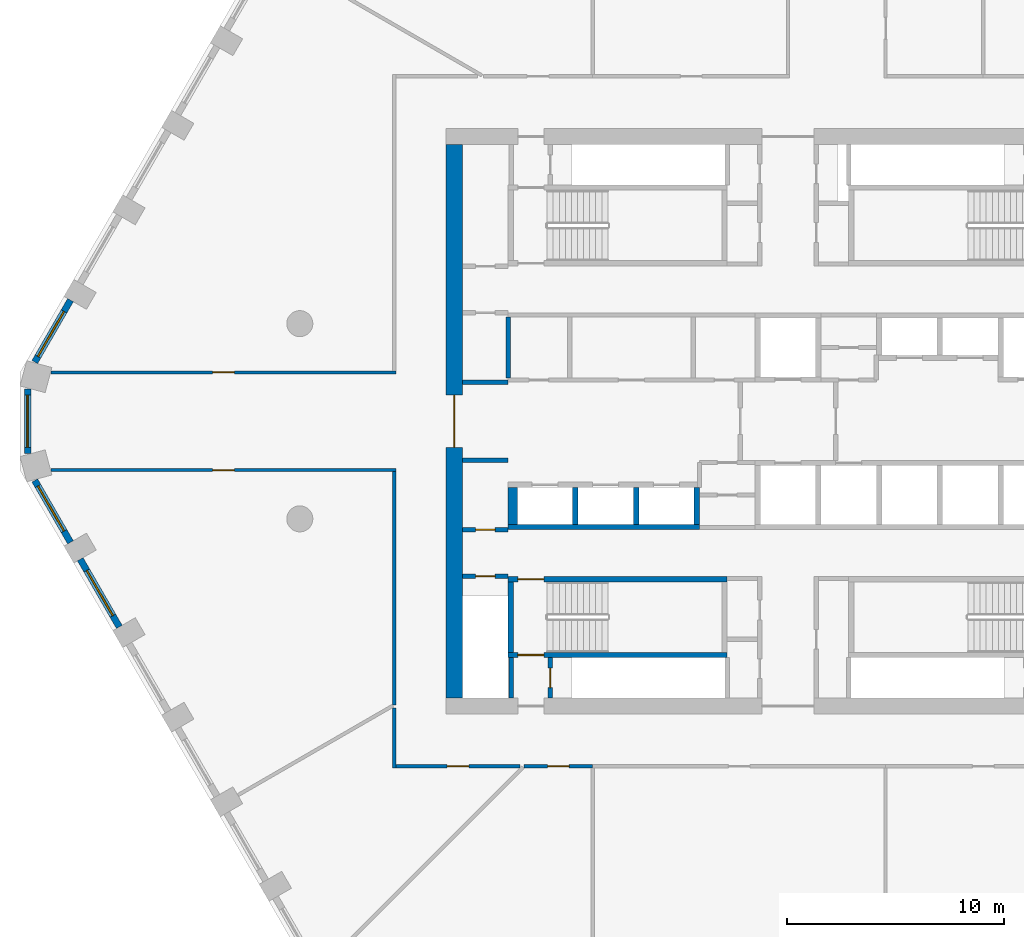
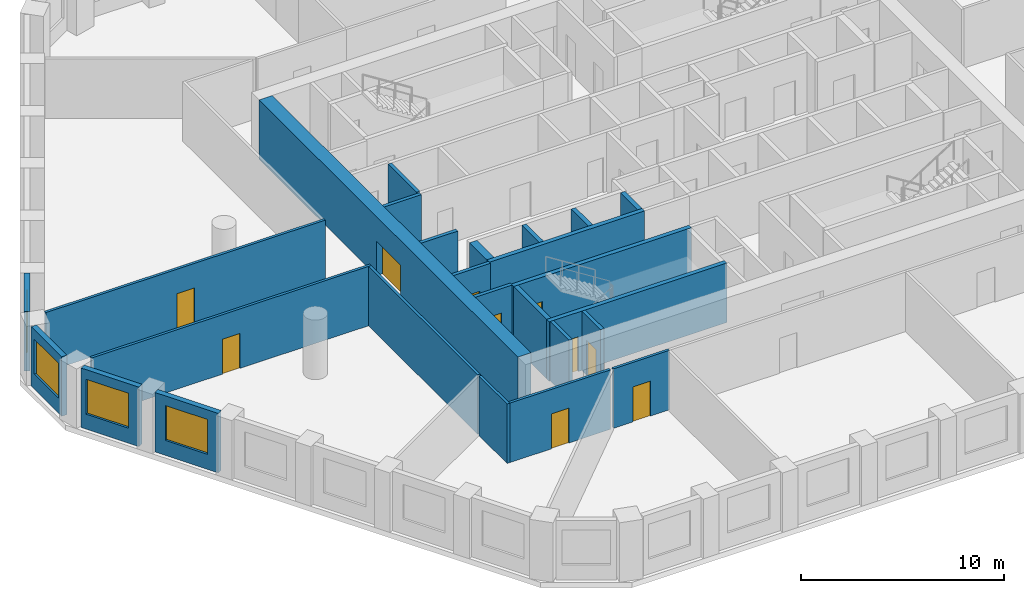
# One storey, part 2 of 9: 26 walls, 10 doors, 4 windows, 14 openings.
"""IFC4 building model written with IfcOpenShell, lengths in metres."""

from ifc_helpers import new_model, si_unit, direction, frame, frame_2d, origin, place, context, subcontext, project, spatial, polyline, rectangle, outline, extrude, material, layer, layer_set, type_object, element, fill, save


model = new_model("IFC4")

# Units and contexts
model_context = context("Model", 3, precision=1e-05, world=origin(), true_north=direction((0.0, 1.0)))
body_context = subcontext(model_context, "Body", "Model", "MODEL_VIEW")
ifc_project = project(units=[si_unit("LENGTHUNIT", "METRE"), si_unit("AREAUNIT", "SQUARE_METRE"), si_unit("VOLUMEUNIT", "CUBIC_METRE"), si_unit("PLANEANGLEUNIT", "RADIAN"), si_unit("MASSUNIT", "GRAM", prefix="KILO")], contexts=[model_context])

# Site, building, storey
site_placement = place(None, origin())
site = spatial("IfcSite", under=ifc_project, at=site_placement, CompositionType="ELEMENT")
building_placement = place(site_placement, origin())
building = spatial("IfcBuilding", under=site, at=building_placement, Name="Dhurran Vertical Campus", CompositionType="ELEMENT")
storey_placement = place(building_placement, frame((0.0, 0.0, 159.89990234375)))
storey = spatial("IfcBuildingStorey", under=building, at=storey_placement, Name="L39", CompositionType="ELEMENT", Elevation=159.89990234375)

# Wall, opening, window
ifc_material_1 = material(Name="Precast concrete C50/60", Category="concrete")
ifc_layer_1 = layer(ifc_material_1, 0.300048828125)
ifc_layer_set_1 = layer_set([ifc_layer_1], Name="Precast concrete C50/60")
wall_type_1 = type_object("IfcWallType", Name="Precast spandrel wall 300", PredefinedType="SOLIDWALL", material=ifc_layer_set_1)
wall_1_placement = place(storey_placement, frame((-33.0693359375, 5.58203125, 0.0), z_axis=(0.0, 0.0, 1.0), x_axis=(-0.499981217486, -0.866036247602, 0.0)))
wall_1 = element("IfcWall", 1, at=wall_1_placement, inside=storey, type_object=wall_type_1, Name="EW1 L39.37", PredefinedType="SOLIDWALL", context=body_context, shape_type="SweptSolid", body=[
    extrude(rectangle(XDim=3.294189453125, YDim=0.300048828125, at=frame_2d((1.64697265625, 0.0))), origin(), (0.0, 0.0, 1.0), 3.5751953125),
])
opening_1_placement = place(wall_1_placement, frame((0.599609375, 0.0, 0.89990234375)))
opening_1 = element("IfcOpeningElement", 2, at=opening_1_placement, cuts=wall_1, Name="Opening WT1", PredefinedType="OPENING", context=body_context, shape_type="SweptSolid", body=[
    extrude(rectangle(XDim=2.39990234375, YDim=2.10009765625, at=frame_2d((1.199951171875, 1.050048828125))), frame((0.0, 0.159912109375, 0.0), z_axis=(0.0, -1.0, 0.0), x_axis=(1.0, 0.0, 0.0)), (0.0, 0.0, 1.0), 0.320068359375),
])
ifc_material_2 = material(Name="Aluminium frame with solar-control glass", Category="aluminium")
window_type = type_object("IfcWindowType", Name="Punched window 2400 x 2100", PartitioningType="SINGLE_PANEL", PredefinedType="WINDOW", material=ifc_material_2)
window_1_placement = place(opening_1_placement, origin())
window_1 = element("IfcWindow", 3, at=window_1_placement, inside=storey, type_object=window_type, Name="WT1 L39.37", OverallHeight=2.10009765625, OverallWidth=2.39990234375, PartitioningType="SINGLE_PANEL", PredefinedType="WINDOW", context=body_context, shape_type="SweptSolid", body=[
    extrude(rectangle(XDim=2.39990234375, YDim=2.10009765625, at=frame_2d((1.199951171875, 1.050048828125))), frame((0.0, 0.030029296875, 0.0), z_axis=(0.0, -1.0, 0.0), x_axis=(1.0, 0.0, 0.0)), (0.0, 0.0, 1.0), 0.06005859375),
])
fill(opening_1, window_1)

wall_2_placement = place(storey_placement, frame((-35.047119140625, 1.49462890625, 0.0), z_axis=(0.0, 0.0, 1.0), x_axis=(0.0, -1.0, 0.0)))
wall_2 = element("IfcWall", 4, at=wall_2_placement, inside=storey, type_object=wall_type_1, Name="EW1 L39.38", PredefinedType="SOLIDWALL", context=body_context, shape_type="SweptSolid", body=[
    extrude(rectangle(XDim=2.9892578125, YDim=0.300048828125, at=frame_2d((1.49462890625, 0.0))), origin(), (0.0, 0.0, 1.0), 3.5751953125),
])
opening_2_placement = place(wall_2_placement, frame((0.294677734375, 0.0, 0.89990234375)))
opening_2 = element("IfcOpeningElement", 5, at=opening_2_placement, cuts=wall_2, Name="Opening WT1", PredefinedType="OPENING", context=body_context, shape_type="SweptSolid", body=[
    extrude(rectangle(XDim=2.39990234375, YDim=2.10009765625, at=frame_2d((1.199951171875, 1.050048828125))), frame((0.0, 0.159912109375, 0.0), z_axis=(0.0, -1.0, 0.0), x_axis=(1.0, 0.0, 0.0)), (0.0, 0.0, 1.0), 0.320068359375),
])
window_2_placement = place(opening_2_placement, origin())
window_2 = element("IfcWindow", 6, at=window_2_placement, inside=storey, type_object=window_type, Name="WT1 L39.38", OverallHeight=2.10009765625, OverallWidth=2.39990234375, PartitioningType="SINGLE_PANEL", PredefinedType="WINDOW", context=body_context, shape_type="SweptSolid", body=[
    extrude(rectangle(XDim=2.39990234375, YDim=2.10009765625, at=frame_2d((1.199951171875, 1.050048828125))), frame((0.0, 0.030029296875, 0.0), z_axis=(0.0, -1.0, 0.0), x_axis=(1.0, 0.0, 0.0)), (0.0, 0.0, 1.0), 0.06005859375),
])
fill(opening_2, window_2)

wall_3_placement = place(storey_placement, frame((-34.71630859375, -2.729248046875, 0.0), z_axis=(0.0, 0.0, 1.0), x_axis=(0.499981217486, -0.866036247602, 0.0)))
wall_3 = element("IfcWall", 7, at=wall_3_placement, inside=storey, type_object=wall_type_1, Name="EW1 L39.39", PredefinedType="SOLIDWALL", context=body_context, shape_type="SweptSolid", body=[
    extrude(rectangle(XDim=3.294189453125, YDim=0.300048828125, at=frame_2d((1.64697265625, 0.0))), origin(), (0.0, 0.0, 1.0), 3.5751953125),
])
opening_3_placement = place(wall_3_placement, frame((0.294677734375, 0.0, 0.89990234375)))
opening_3 = element("IfcOpeningElement", 8, at=opening_3_placement, cuts=wall_3, Name="Opening WT1", PredefinedType="OPENING", context=body_context, shape_type="SweptSolid", body=[
    extrude(rectangle(XDim=2.39990234375, YDim=2.10009765625, at=frame_2d((1.199951171875, 1.050048828125))), frame((0.0, 0.159912109375, 0.0), z_axis=(0.0, -1.0, 0.0), x_axis=(1.0, 0.0, 0.0)), (0.0, 0.0, 1.0), 0.320068359375),
])
window_3_placement = place(opening_3_placement, origin())
window_3 = element("IfcWindow", 9, at=window_3_placement, inside=storey, type_object=window_type, Name="WT1 L39.39", OverallHeight=2.10009765625, OverallWidth=2.39990234375, PartitioningType="SINGLE_PANEL", PredefinedType="WINDOW", context=body_context, shape_type="SweptSolid", body=[
    extrude(rectangle(XDim=2.39990234375, YDim=2.10009765625, at=frame_2d((1.199951171875, 1.050048828125))), frame((0.0, 0.030029296875, 0.0), z_axis=(0.0, -1.0, 0.0), x_axis=(1.0, 0.0, 0.0)), (0.0, 0.0, 1.0), 0.06005859375),
])
fill(opening_3, window_3)

wall_4_placement = place(storey_placement, frame((-32.618896484375, -6.3623046875, 0.0), z_axis=(0.0, 0.0, 1.0), x_axis=(0.500027802648, -0.866009351323, 0.0)))
wall_4 = element("IfcWall", 10, at=wall_4_placement, inside=storey, type_object=wall_type_1, Name="EW1 L39.40", PredefinedType="SOLIDWALL", context=body_context, shape_type="SweptSolid", body=[
    extrude(rectangle(XDim=3.598876953125, YDim=0.300048828125, at=frame_2d((1.79931640625, 0.0))), origin(), (0.0, 0.0, 1.0), 3.5751953125),
])
opening_4_placement = place(wall_4_placement, frame((0.599609375, 0.0, 0.89990234375)))
opening_4 = element("IfcOpeningElement", 11, at=opening_4_placement, cuts=wall_4, Name="Opening WT1", PredefinedType="OPENING", context=body_context, shape_type="SweptSolid", body=[
    extrude(rectangle(XDim=2.39990234375, YDim=2.10009765625, at=frame_2d((1.199951171875, 1.050048828125))), frame((0.0, 0.159912109375, 0.0), z_axis=(0.0, -1.0, 0.0), x_axis=(1.0, 0.0, 0.0)), (0.0, 0.0, 1.0), 0.320068359375),
])
window_4_placement = place(opening_4_placement, origin())
window_4 = element("IfcWindow", 12, at=window_4_placement, inside=storey, type_object=window_type, Name="WT1 L39.40", OverallHeight=2.10009765625, OverallWidth=2.39990234375, PartitioningType="SINGLE_PANEL", PredefinedType="WINDOW", context=body_context, shape_type="SweptSolid", body=[
    extrude(rectangle(XDim=2.39990234375, YDim=2.10009765625, at=frame_2d((1.199951171875, 1.050048828125))), frame((0.0, 0.030029296875, 0.0), z_axis=(0.0, -1.0, 0.0), x_axis=(1.0, 0.0, 0.0)), (0.0, 0.0, 1.0), 0.06005859375),
])
fill(opening_4, window_4)

# Wall, opening, door
ifc_material_3 = material(Name="Concrete C60/75", Category="concrete")
ifc_layer_2 = layer(ifc_material_3, 0.75)
ifc_layer_set_2 = layer_set([ifc_layer_2], Name="Concrete C60/75")
wall_type_2 = type_object("IfcWallType", Name="co-CORE-WALL-C1-750", PredefinedType="SHEAR", material=ifc_layer_set_2)
wall_5_placement = place(storey_placement, frame((-15.375, -12.75, 0.0), z_axis=(0.0, 0.0, 1.0), x_axis=(0.0, 1.0, 0.0)))
wall_5 = element("IfcWall", 13, at=wall_5_placement, inside=storey, type_object=wall_type_2, Name="Core wall W L39", PredefinedType="SHEAR", context=body_context, shape_type="SweptSolid", body=[
    extrude(rectangle(XDim=25.5, YDim=0.75, at=frame_2d((12.75, 0.0))), origin(), (0.0, 0.0, 1.0), 3.5751953125),
])
opening_5_placement = place(wall_5_placement, frame((11.550048828125, 0.0, 0.0)))
opening_5 = element("IfcOpeningElement", 14, at=opening_5_placement, cuts=wall_5, Name="Opening CL1", PredefinedType="OPENING", context=body_context, shape_type="SweptSolid", body=[
    extrude(rectangle(XDim=2.39990234375, YDim=2.10009765625, at=frame_2d((1.199951171875, 1.050048828125))), frame((0.0, 0.385009765625, 0.0), z_axis=(0.0, -1.0, 0.0), x_axis=(1.0, 0.0, 0.0)), (0.0, 0.0, 1.0), 0.77001953125),
])
ifc_material_4 = material(Name="Fire-rated glazed door set")
door_type_1 = type_object("IfcDoorType", Name="co-D-LOBBY 2400x2100", OperationType="DOUBLE_DOOR_DOUBLE_SWING", PredefinedType="DOOR", material=ifc_material_4)
door_1_placement = place(opening_5_placement, origin())
door_1 = element("IfcDoor", 15, at=door_1_placement, inside=storey, type_object=door_type_1, Name="Lift lobby door W L39", OperationType="DOUBLE_DOOR_DOUBLE_SWING", OverallHeight=2.10009765625, OverallWidth=2.39990234375, PredefinedType="DOOR", context=body_context, shape_type="SweptSolid", body=[
    extrude(rectangle(XDim=2.39990234375, YDim=2.10009765625, at=frame_2d((1.199951171875, 1.050048828125))), frame((0.0, 0.02490234375, 0.0), z_axis=(0.0, -1.0, 0.0), x_axis=(1.0, 0.0, 0.0)), (0.0, 0.0, 1.0), 0.050048828125),
])
fill(opening_5, door_1)

# Wall
ifc_material_5 = material(Name="Fire-rated masonry blockwork", Category="masonry")
ifc_layer_3 = layer(ifc_material_5, 0.199951171875)
ifc_layer_set_3 = layer_set([ifc_layer_3], Name="Fire-rated masonry blockwork")
wall_type_3 = type_object("IfcWallType", Name="co-FIRE-PARTITION-200", PredefinedType="PARTITIONING", material=ifc_layer_set_3)
wall_6_placement = place(storey_placement, frame((-12.75, -12.75, 0.0), z_axis=(0.0, 0.0, 1.0), x_axis=(0.0, 1.0, 0.0)))
element("IfcWall", 16, at=wall_6_placement, inside=storey, type_object=wall_type_3, Name="Core partition pass-ST3-o L39", PredefinedType="PARTITIONING", context=body_context, shape_type="SweptSolid", body=[
    extrude(rectangle(XDim=1.85009765625, YDim=0.199951171875, at=frame_2d((0.925048828125, 0.0))), origin(), (0.0, 0.0, 1.0), 3.5751953125),
])

# Wall, opening, door
wall_7_placement = place(storey_placement, frame((-10.949951171875, -12.75, 0.0), z_axis=(0.0, 0.0, 1.0), x_axis=(0.0, 1.0, 0.0)))
wall_7 = element("IfcWall", 17, at=wall_7_placement, inside=storey, type_object=wall_type_3, Name="Core partition pass-ST3-i L39", PredefinedType="PARTITIONING", context=body_context, shape_type="SweptSolid", body=[
    extrude(rectangle(XDim=1.85009765625, YDim=0.199951171875, at=frame_2d((0.925048828125, 0.0))), origin(), (0.0, 0.0, 1.0), 3.5751953125),
])
opening_6_placement = place(wall_7_placement, frame((0.47509765625, 0.0, 0.0)))
opening_6 = element("IfcOpeningElement", 18, at=opening_6_placement, cuts=wall_7, Name="Opening T11-C10", PredefinedType="OPENING", context=body_context, shape_type="SweptSolid", body=[
    extrude(rectangle(XDim=0.89990234375, YDim=2.10009765625, at=frame_2d((0.449951171875, 1.050048828125))), frame((0.0, 0.10986328125, 0.0), z_axis=(0.0, -1.0, 0.0), x_axis=(1.0, 0.0, 0.0)), (0.0, 0.0, 1.0), 0.219970703125),
])
ifc_material_6 = material(Name="Fire-rated timber door set", Category="wood")
door_type_2 = type_object("IfcDoorType", Name="co-D-ROOM 900x2100", OperationType="SINGLE_SWING_LEFT", PredefinedType="DOOR", material=ifc_material_6)
door_2_placement = place(opening_6_placement, origin())
door_2 = element("IfcDoor", 19, at=door_2_placement, inside=storey, type_object=door_type_2, Name="Riser room door L39", OperationType="SINGLE_SWING_LEFT", OverallHeight=2.10009765625, OverallWidth=0.89990234375, PredefinedType="DOOR", context=body_context, shape_type="SweptSolid", body=[
    extrude(rectangle(XDim=0.89990234375, YDim=2.10009765625, at=frame_2d((0.449951171875, 1.050048828125))), frame((0.0, 0.02490234375, 0.0), z_axis=(0.0, -1.0, 0.0), x_axis=(1.0, 0.0, 0.0)), (0.0, 0.0, 1.0), 0.050048828125),
])
fill(opening_6, door_2)

# Wall
wall_8_placement = place(storey_placement, frame((-15.0, 1.800048828125, 0.0), z_axis=(0.0, 0.0, 1.0), x_axis=(1.0, 0.0, 0.0)))
element("IfcWall", 20, at=wall_8_placement, inside=storey, type_object=wall_type_3, Name="Core partition es-NW-l L39", PredefinedType="PARTITIONING", context=body_context, shape_type="SweptSolid", body=[
    extrude(rectangle(XDim=2.10009765625, YDim=0.199951171875, at=frame_2d((1.050048828125, 0.0))), origin(), (0.0, 0.0, 1.0), 3.5751953125),
])

# Wall, opening, door
wall_9_placement = place(storey_placement, frame((-15.0, -7.14990234375, 0.0), z_axis=(0.0, 0.0, 1.0), x_axis=(1.0, 0.0, 0.0)))
wall_9 = element("IfcWall", 21, at=wall_9_placement, inside=storey, type_object=wall_type_3, Name="Core partition en-SW-w L39", PredefinedType="PARTITIONING", context=body_context, shape_type="SweptSolid", body=[
    extrude(rectangle(XDim=2.10009765625, YDim=0.199951171875, at=frame_2d((1.050048828125, 0.0))), origin(), (0.0, 0.0, 1.0), 3.5751953125),
])
opening_7_placement = place(wall_9_placement, frame((0.60009765625, 0.0, 0.0)))
opening_7 = element("IfcOpeningElement", 22, at=opening_7_placement, cuts=wall_9, Name="Opening T11-C16", PredefinedType="OPENING", context=body_context, shape_type="SweptSolid", body=[
    extrude(rectangle(XDim=0.89990234375, YDim=2.10009765625, at=frame_2d((0.449951171875, 1.050048828125))), frame((0.0, 0.10986328125, 0.0), z_axis=(0.0, -1.0, 0.0), x_axis=(1.0, 0.0, 0.0)), (0.0, 0.0, 1.0), 0.219970703125),
])
door_3_placement = place(opening_7_placement, origin())
door_3 = element("IfcDoor", 23, at=door_3_placement, inside=storey, type_object=door_type_2, Name="Electrical riser door L39", OperationType="SINGLE_SWING_LEFT", OverallHeight=2.10009765625, OverallWidth=0.89990234375, PredefinedType="DOOR", context=body_context, shape_type="SweptSolid", body=[
    extrude(rectangle(XDim=0.89990234375, YDim=2.10009765625, at=frame_2d((0.449951171875, 1.050048828125))), frame((0.0, 0.02490234375, 0.0), z_axis=(0.0, -1.0, 0.0), x_axis=(1.0, 0.0, 0.0)), (0.0, 0.0, 1.0), 0.050048828125),
])
fill(opening_7, door_3)

wall_10_placement = place(storey_placement, frame((-15.0, -5.0, 0.0), z_axis=(0.0, 0.0, 1.0), x_axis=(1.0, 0.0, 0.0)))
wall_10 = element("IfcWall", 24, at=wall_10_placement, inside=storey, type_object=wall_type_3, Name="Core partition es-SW-w L39", PredefinedType="PARTITIONING", context=body_context, shape_type="SweptSolid", body=[
    extrude(rectangle(XDim=2.10009765625, YDim=0.199951171875, at=frame_2d((1.050048828125, 0.0))), origin(), (0.0, 0.0, 1.0), 3.5751953125),
])
opening_8_placement = place(wall_10_placement, frame((0.60009765625, 0.0, 0.0)))
opening_8 = element("IfcOpeningElement", 25, at=opening_8_placement, cuts=wall_10, Name="Opening T11-C17", PredefinedType="OPENING", context=body_context, shape_type="SweptSolid", body=[
    extrude(rectangle(XDim=0.89990234375, YDim=2.10009765625, at=frame_2d((0.449951171875, 1.050048828125))), frame((0.0, 0.10986328125, 0.0), z_axis=(0.0, -1.0, 0.0), x_axis=(1.0, 0.0, 0.0)), (0.0, 0.0, 1.0), 0.219970703125),
])
door_4_placement = place(opening_8_placement, origin())
door_4 = element("IfcDoor", 26, at=door_4_placement, inside=storey, type_object=door_type_2, Name="Fire equipment store door L39", OperationType="SINGLE_SWING_LEFT", OverallHeight=2.10009765625, OverallWidth=0.89990234375, PredefinedType="DOOR", context=body_context, shape_type="SweptSolid", body=[
    extrude(rectangle(XDim=0.89990234375, YDim=2.10009765625, at=frame_2d((0.449951171875, 1.050048828125))), frame((0.0, 0.02490234375, 0.0), z_axis=(0.0, -1.0, 0.0), x_axis=(1.0, 0.0, 0.0)), (0.0, 0.0, 1.0), 0.050048828125),
])
fill(opening_8, door_4)

# Walls
wall_11_placement = place(storey_placement, frame((-15.0, -1.800048828125, 0.0), z_axis=(0.0, 0.0, 1.0), x_axis=(1.0, 0.0, 0.0)))
element("IfcWall", 27, at=wall_11_placement, inside=storey, type_object=wall_type_3, Name="Core partition es-SW-l L39", PredefinedType="PARTITIONING", context=body_context, shape_type="SweptSolid", body=[
    extrude(rectangle(XDim=2.10009765625, YDim=0.199951171875, at=frame_2d((1.050048828125, 0.0))), origin(), (0.0, 0.0, 1.0), 3.5751953125),
])
wall_12_placement = place(storey_placement, frame((-12.89990234375, 2.0, 0.0), z_axis=(0.0, 0.0, 1.0), x_axis=(0.0, 1.0, 0.0)))
element("IfcWall", 28, at=wall_12_placement, inside=storey, type_object=wall_type_3, Name="Core partition fr-N0-e0 L39", PredefinedType="PARTITIONING", context=body_context, shape_type="SweptSolid", body=[
    extrude(rectangle(XDim=2.800048828125, YDim=0.199951171875, at=frame_2d((1.39990234375, 0.0))), origin(), (0.0, 0.0, 1.0), 3.5751953125),
])
ifc_material_7 = material(Name="Concrete C50/60", Category="concrete")
ifc_layer_4 = layer(ifc_material_7, 0.25)
ifc_layer_set_4 = layer_set([ifc_layer_4], Name="Concrete C50/60")
wall_type_4 = type_object("IfcWallType", Name="co-SHAFT-MASS-250", PredefinedType="SHEAR", material=ifc_layer_set_4)
wall_13_placement = place(storey_placement, origin())
element("IfcWall", 29, at=wall_13_placement, inside=storey, type_object=wall_type_4, Name="Lift shaft wall S L39 1", PredefinedType="SHEAR", context=body_context, shape_type="SweptSolid", body=[
    extrude(outline(polyline([(-12.89990234375, -5.0), (-4.074951171875, -5.0), (-4.074951171875, -4.75), (-12.89990234375, -4.75), (-12.89990234375, -5.0)])), origin(), (0.0, 0.0, 1.0), 3.5751953125),
])
wall_14_placement = place(storey_placement, origin())
element("IfcWall", 30, at=wall_14_placement, inside=storey, type_object=wall_type_4, Name="Lift shaft wall S L39 3", PredefinedType="SHEAR", context=body_context, shape_type="SweptSolid", body=[
    extrude(outline(polyline([(-12.89990234375, -4.75), (-12.47509765625, -4.75), (-12.47509765625, -3.050048828125), (-12.89990234375, -3.050048828125), (-12.89990234375, -4.75)])), origin(), (0.0, 0.0, 1.0), 3.5751953125),
])
wall_15_placement = place(storey_placement, origin())
element("IfcWall", 31, at=wall_15_placement, inside=storey, type_object=wall_type_4, Name="Lift shaft wall S L39 4", PredefinedType="SHEAR", context=body_context, shape_type="SweptSolid", body=[
    extrude(outline(polyline([(-9.925048828125, -4.75), (-9.675048828125, -4.75), (-9.675048828125, -3.050048828125), (-9.925048828125, -3.050048828125), (-9.925048828125, -4.75)])), origin(), (0.0, 0.0, 1.0), 3.5751953125),
])
wall_16_placement = place(storey_placement, origin())
element("IfcWall", 32, at=wall_16_placement, inside=storey, type_object=wall_type_4, Name="Lift shaft wall S L39 5", PredefinedType="SHEAR", context=body_context, shape_type="SweptSolid", body=[
    extrude(outline(polyline([(-7.125, -4.75), (-6.875, -4.75), (-6.875, -3.050048828125), (-7.125, -3.050048828125), (-7.125, -4.75)])), origin(), (0.0, 0.0, 1.0), 3.5751953125),
])
wall_17_placement = place(storey_placement, origin())
element("IfcWall", 33, at=wall_17_placement, inside=storey, type_object=wall_type_4, Name="Lift shaft wall S L39 6", PredefinedType="SHEAR", context=body_context, shape_type="SweptSolid", body=[
    extrude(outline(polyline([(-4.324951171875, -4.75), (-4.074951171875, -4.75), (-4.074951171875, -3.050048828125), (-4.324951171875, -3.050048828125), (-4.324951171875, -4.75)])), origin(), (0.0, 0.0, 1.0), 3.5751953125),
])

# Wall, opening, door
ifc_material_8 = material(Name="Concrete C40/50", Category="concrete")
ifc_layer_5 = layer(ifc_material_8, 0.25)
ifc_layer_set_5 = layer_set([ifc_layer_5], Name="Concrete C40/50")
wall_type_5 = type_object("IfcWallType", Name="co-STAIR-WALL-250", PredefinedType="SHEAR", material=ifc_layer_set_5)
wall_18_placement = place(storey_placement, frame((-12.89990234375, -10.77490234375, 0.0), z_axis=(0.0, 0.0, 1.0), x_axis=(1.0, 0.0, 0.0)))
wall_18 = element("IfcWall", 34, at=wall_18_placement, inside=storey, type_object=wall_type_5, Name="Stair ST3 enclosure wall L39", PredefinedType="SHEAR", context=body_context, shape_type="SweptSolid", body=[
    extrude(rectangle(XDim=10.099853515625, YDim=0.25, at=frame_2d((5.0498046875, 0.0))), origin(), (0.0, 0.0, 1.0), 3.5751953125),
])
opening_9_placement = place(wall_18_placement, frame((0.449951171875, 0.0, 0.0)))
opening_9 = element("IfcOpeningElement", 35, at=opening_9_placement, cuts=wall_18, Name="Opening XS3", PredefinedType="OPENING", context=body_context, shape_type="SweptSolid", body=[
    extrude(rectangle(XDim=1.199951171875, YDim=2.10009765625, at=frame_2d((0.60009765625, 1.050048828125))), frame((0.0, 0.135009765625, 0.0), z_axis=(0.0, -1.0, 0.0), x_axis=(1.0, 0.0, 0.0)), (0.0, 0.0, 1.0), 0.27001953125),
])
ifc_material_9 = material(Name="Fire-rated steel door set", Category="steel")
door_type_3 = type_object("IfcDoorType", Name="co-D-STAIR-EXIT 1200x2100", OperationType="SINGLE_SWING_RIGHT", PredefinedType="DOOR", material=ifc_material_9)
door_5_placement = place(opening_9_placement, origin())
door_5 = element("IfcDoor", 36, at=door_5_placement, inside=storey, type_object=door_type_3, Name="Stair ST3 discharge door L39", OperationType="SINGLE_SWING_RIGHT", OverallHeight=2.10009765625, OverallWidth=1.199951171875, PredefinedType="DOOR", context=body_context, shape_type="SweptSolid", body=[
    extrude(rectangle(XDim=1.199951171875, YDim=2.10009765625, at=frame_2d((0.60009765625, 1.050048828125))), frame((0.0, 0.02490234375, 0.0), z_axis=(0.0, -1.0, 0.0), x_axis=(1.0, 0.0, 0.0)), (0.0, 0.0, 1.0), 0.050048828125),
])
fill(opening_9, door_5)

wall_19_placement = place(storey_placement, frame((-12.89990234375, -7.27490234375, 0.0), z_axis=(0.0, 0.0, 1.0), x_axis=(1.0, 0.0, 0.0)))
wall_19 = element("IfcWall", 37, at=wall_19_placement, inside=storey, type_object=wall_type_5, Name="Stair ST3 enclosure wall L39", PredefinedType="SHEAR", context=body_context, shape_type="SweptSolid", body=[
    extrude(rectangle(XDim=10.099853515625, YDim=0.25, at=frame_2d((5.0498046875, 0.0))), origin(), (0.0, 0.0, 1.0), 3.5751953125),
])
opening_10_placement = place(wall_19_placement, frame((0.449951171875, 0.0, 0.0)))
opening_10 = element("IfcOpeningElement", 38, at=opening_10_placement, cuts=wall_19, Name="Opening SD3", PredefinedType="OPENING", context=body_context, shape_type="SweptSolid", body=[
    extrude(rectangle(XDim=1.199951171875, YDim=2.10009765625, at=frame_2d((0.60009765625, 1.050048828125))), frame((0.0, 0.135009765625, 0.0), z_axis=(0.0, -1.0, 0.0), x_axis=(1.0, 0.0, 0.0)), (0.0, 0.0, 1.0), 0.27001953125),
])
ifc_material_10 = material(Name="Fire-rated steel door set", Category="steel")
door_type_4 = type_object("IfcDoorType", Name="co-D-STAIR 1200x2100", OperationType="SINGLE_SWING_LEFT", PredefinedType="DOOR", material=ifc_material_10)
door_6_placement = place(opening_10_placement, origin())
door_6 = element("IfcDoor", 39, at=door_6_placement, inside=storey, type_object=door_type_4, Name="Stair ST3 door L39", OperationType="SINGLE_SWING_LEFT", OverallHeight=2.10009765625, OverallWidth=1.199951171875, PredefinedType="DOOR", context=body_context, shape_type="SweptSolid", body=[
    extrude(rectangle(XDim=1.199951171875, YDim=2.10009765625, at=frame_2d((0.60009765625, 1.050048828125))), frame((0.0, 0.02490234375, 0.0), z_axis=(0.0, -1.0, 0.0), x_axis=(1.0, 0.0, 0.0)), (0.0, 0.0, 1.0), 0.050048828125),
])
fill(opening_10, door_6)

# Wall
wall_20_placement = place(storey_placement, frame((-12.77490234375, -10.64990234375, 0.0), z_axis=(0.0, 0.0, 1.0), x_axis=(0.0, 1.0, 0.0)))
element("IfcWall", 40, at=wall_20_placement, inside=storey, type_object=wall_type_5, Name="Stair ST3 enclosure wall L39", PredefinedType="SHEAR", context=body_context, shape_type="SweptSolid", body=[
    extrude(rectangle(XDim=3.25, YDim=0.25, at=frame_2d((1.625, 0.0))), origin(), (0.0, 0.0, 1.0), 3.5751953125),
])

# Wall, opening, door
ifc_material_11 = material(Name="Gypsum board corridor wall on steel studs", Category="steel")
ifc_layer_6 = layer(ifc_material_11, 0.14990234375)
ifc_layer_set_6 = layer_set([ifc_layer_6], Name="Gypsum board corridor wall on steel studs")
wall_type_6 = type_object("IfcWallType", Name="fl-CW-150 corridor wall", PredefinedType="PARTITIONING", material=ifc_layer_set_6)
wall_21_placement = place(storey_placement, frame((-18.074951171875, -2.25, 0.0), z_axis=(0.0, 0.0, 1.0), x_axis=(-1.0, 0.0, 0.0)))
wall_21 = element("IfcWall", 41, at=wall_21_placement, inside=storey, type_object=wall_type_6, Name="Partition 39-01", PredefinedType="PARTITIONING", context=body_context, shape_type="SweptSolid", body=[
    extrude(rectangle(XDim=15.892822265625, YDim=0.14990234375, at=frame_2d((7.9462890625, 0.0))), origin(), (0.0, 0.0, 1.0), 3.5751953125),
])
opening_11_placement = place(wall_21_placement, frame((7.4462890625, 0.0, 0.0)))
opening_11 = element("IfcOpeningElement", 42, at=opening_11_placement, cuts=wall_21, Name="Opening T11.01", PredefinedType="OPENING", context=body_context, shape_type="SweptSolid", body=[
    extrude(rectangle(XDim=1.0, YDim=2.10009765625, at=frame_2d((0.5, 1.050048828125))), frame((0.0, 0.0849609375, 0.0), z_axis=(0.0, -1.0, 0.0), x_axis=(1.0, 0.0, 0.0)), (0.0, 0.0, 1.0), 0.169921875),
])
ifc_material_12 = material(Name="Solid-core timber door set, fire-rated", Category="wood")
door_type_5 = type_object("IfcDoorType", Name="fl-D-1000x2100", OperationType="SINGLE_SWING_LEFT", PredefinedType="DOOR", material=ifc_material_12)
door_7_placement = place(opening_11_placement, origin())
door_7 = element("IfcDoor", 43, at=door_7_placement, inside=storey, type_object=door_type_5, Name="Door 39.01", OperationType="SINGLE_SWING_RIGHT", OverallHeight=2.10009765625, OverallWidth=1.0, PredefinedType="DOOR", context=body_context, shape_type="SweptSolid", body=[
    extrude(rectangle(XDim=1.0, YDim=2.10009765625, at=frame_2d((0.5, 1.050048828125))), frame((0.0, 0.02490234375, 0.0), z_axis=(0.0, -1.0, 0.0), x_axis=(1.0, 0.0, 0.0)), (0.0, 0.0, 1.0), 0.050048828125),
])
fill(opening_11, door_7)

wall_22_placement = place(storey_placement, frame((-33.9677734375, 2.25, 0.0), z_axis=(0.0, 0.0, 1.0), x_axis=(1.0, 0.0, 0.0)))
wall_22 = element("IfcWall", 44, at=wall_22_placement, inside=storey, type_object=wall_type_6, Name="Partition 39-02", PredefinedType="PARTITIONING", context=body_context, shape_type="SweptSolid", body=[
    extrude(rectangle(XDim=15.892822265625, YDim=0.14990234375, at=frame_2d((7.9462890625, 0.0))), origin(), (0.0, 0.0, 1.0), 3.5751953125),
])
opening_12_placement = place(wall_22_placement, frame((7.4462890625, 0.0, 0.0)))
opening_12 = element("IfcOpeningElement", 45, at=opening_12_placement, cuts=wall_22, Name="Opening T11.02", PredefinedType="OPENING", context=body_context, shape_type="SweptSolid", body=[
    extrude(rectangle(XDim=1.0, YDim=2.10009765625, at=frame_2d((0.5, 1.050048828125))), frame((0.0, 0.0849609375, 0.0), z_axis=(0.0, -1.0, 0.0), x_axis=(1.0, 0.0, 0.0)), (0.0, 0.0, 1.0), 0.169921875),
])
door_8_placement = place(opening_12_placement, origin())
door_8 = element("IfcDoor", 46, at=door_8_placement, inside=storey, type_object=door_type_5, Name="Door 39.02", OperationType="SINGLE_SWING_LEFT", OverallHeight=2.10009765625, OverallWidth=1.0, PredefinedType="DOOR", context=body_context, shape_type="SweptSolid", body=[
    extrude(rectangle(XDim=1.0, YDim=2.10009765625, at=frame_2d((0.5, 1.050048828125))), frame((0.0, 0.02490234375, 0.0), z_axis=(0.0, -1.0, 0.0), x_axis=(1.0, 0.0, 0.0)), (0.0, 0.0, 1.0), 0.050048828125),
])
fill(opening_12, door_8)

# Wall
wall_23_placement = place(storey_placement, frame((-18.14990234375, -13.20703125, 0.0), z_axis=(0.0, 0.0, 1.0), x_axis=(0.0, -1.0, 0.0)))
element("IfcWall", 47, at=wall_23_placement, inside=storey, type_object=wall_type_6, Name="Partition 39-06", PredefinedType="PARTITIONING", context=body_context, shape_type="SweptSolid", body=[
    extrude(rectangle(XDim=2.76806640625, YDim=0.14990234375, at=frame_2d((1.384033203125, 0.0))), origin(), (0.0, 0.0, 1.0), 3.5751953125),
])

# Wall, opening, door
wall_24_placement = place(storey_placement, frame((-18.074951171875, -15.89990234375, 0.0), z_axis=(0.0, 0.0, 1.0), x_axis=(1.0, 0.0, 0.0)))
wall_24 = element("IfcWall", 48, at=wall_24_placement, inside=storey, type_object=wall_type_6, Name="Partition 39-07", PredefinedType="PARTITIONING", context=body_context, shape_type="SweptSolid", body=[
    extrude(rectangle(XDim=5.73583984375, YDim=0.14990234375, at=frame_2d((2.867919921875, 0.0))), origin(), (0.0, 0.0, 1.0), 3.5751953125),
])
opening_13_placement = place(wall_24_placement, frame((2.367919921875, 0.0, 0.0)))
opening_13 = element("IfcOpeningElement", 49, at=opening_13_placement, cuts=wall_24, Name="Opening T11.03", PredefinedType="OPENING", context=body_context, shape_type="SweptSolid", body=[
    extrude(rectangle(XDim=1.0, YDim=2.10009765625, at=frame_2d((0.5, 1.050048828125))), frame((0.0, 0.0849609375, 0.0), z_axis=(0.0, -1.0, 0.0), x_axis=(1.0, 0.0, 0.0)), (0.0, 0.0, 1.0), 0.169921875),
])
door_9_placement = place(opening_13_placement, origin())
door_9 = element("IfcDoor", 50, at=door_9_placement, inside=storey, type_object=door_type_5, Name="Door 39.03", OperationType="SINGLE_SWING_RIGHT", OverallHeight=2.10009765625, OverallWidth=1.0, PredefinedType="DOOR", context=body_context, shape_type="SweptSolid", body=[
    extrude(rectangle(XDim=1.0, YDim=2.10009765625, at=frame_2d((0.5, 1.050048828125))), frame((0.0, 0.02490234375, 0.0), z_axis=(0.0, -1.0, 0.0), x_axis=(1.0, 0.0, 0.0)), (0.0, 0.0, 1.0), 0.050048828125),
])
fill(opening_13, door_9)

# Wall
wall_25_placement = place(storey_placement, frame((-18.14990234375, -2.324951171875, 0.0), z_axis=(0.0, 0.0, 1.0), x_axis=(0.0, -1.0, 0.0)))
element("IfcWall", 51, at=wall_25_placement, inside=storey, type_object=wall_type_6, Name="Partition 39-08", PredefinedType="PARTITIONING", context=body_context, shape_type="SweptSolid", body=[
    extrude(rectangle(XDim=10.751953125, YDim=0.14990234375, at=frame_2d((5.3759765625, 0.0))), origin(), (0.0, 0.0, 1.0), 3.5751953125),
])

# Wall, opening, door
wall_26_placement = place(storey_placement, frame((-12.1640625, -15.89990234375, 0.0), z_axis=(0.0, 0.0, 1.0), x_axis=(1.0, 0.0, 0.0)))
wall_26 = element("IfcWall", 52, at=wall_26_placement, inside=storey, type_object=wall_type_6, Name="Partition 39-12", PredefinedType="PARTITIONING", context=body_context, shape_type="SweptSolid", body=[
    extrude(rectangle(XDim=3.1640625, YDim=0.14990234375, at=frame_2d((1.58203125, 0.0))), origin(), (0.0, 0.0, 1.0), 3.5751953125),
])
opening_14_placement = place(wall_26_placement, frame((1.08203125, 0.0, 0.0)))
opening_14 = element("IfcOpeningElement", 53, at=opening_14_placement, cuts=wall_26, Name="Opening T11.05", PredefinedType="OPENING", context=body_context, shape_type="SweptSolid", body=[
    extrude(rectangle(XDim=1.0, YDim=2.10009765625, at=frame_2d((0.5, 1.050048828125))), frame((0.0, 0.0849609375, 0.0), z_axis=(0.0, -1.0, 0.0), x_axis=(1.0, 0.0, 0.0)), (0.0, 0.0, 1.0), 0.169921875),
])
door_10_placement = place(opening_14_placement, origin())
door_10 = element("IfcDoor", 54, at=door_10_placement, inside=storey, type_object=door_type_5, Name="Door 39.05", OperationType="SINGLE_SWING_RIGHT", OverallHeight=2.10009765625, OverallWidth=1.0, PredefinedType="DOOR", context=body_context, shape_type="SweptSolid", body=[
    extrude(rectangle(XDim=1.0, YDim=2.10009765625, at=frame_2d((0.5, 1.050048828125))), frame((0.0, 0.02490234375, 0.0), z_axis=(0.0, -1.0, 0.0), x_axis=(1.0, 0.0, 0.0)), (0.0, 0.0, 1.0), 0.050048828125),
])
fill(opening_14, door_10)

save(model, "model.ifc")
